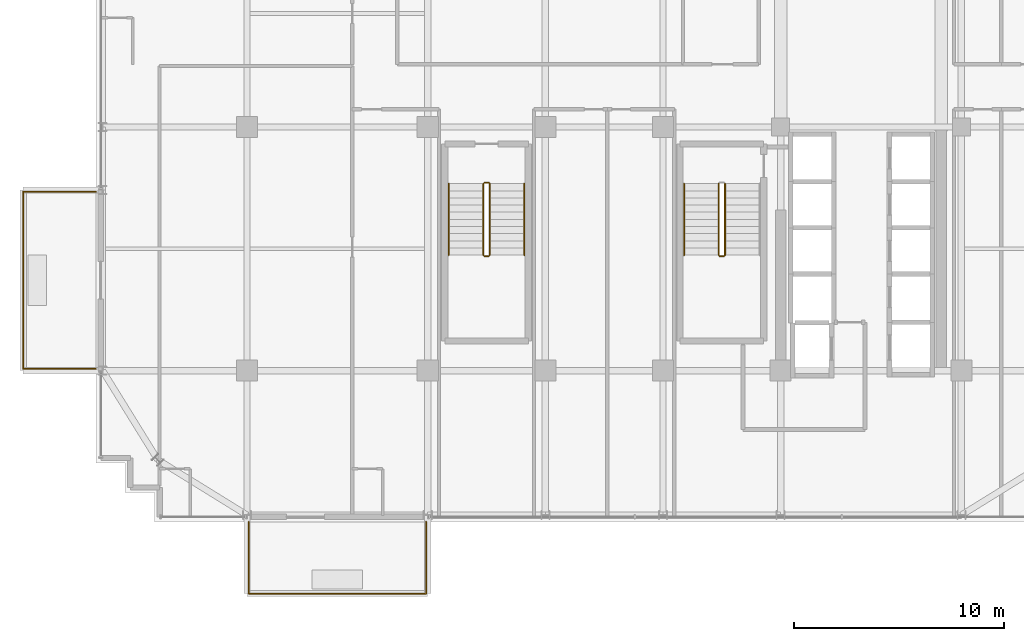
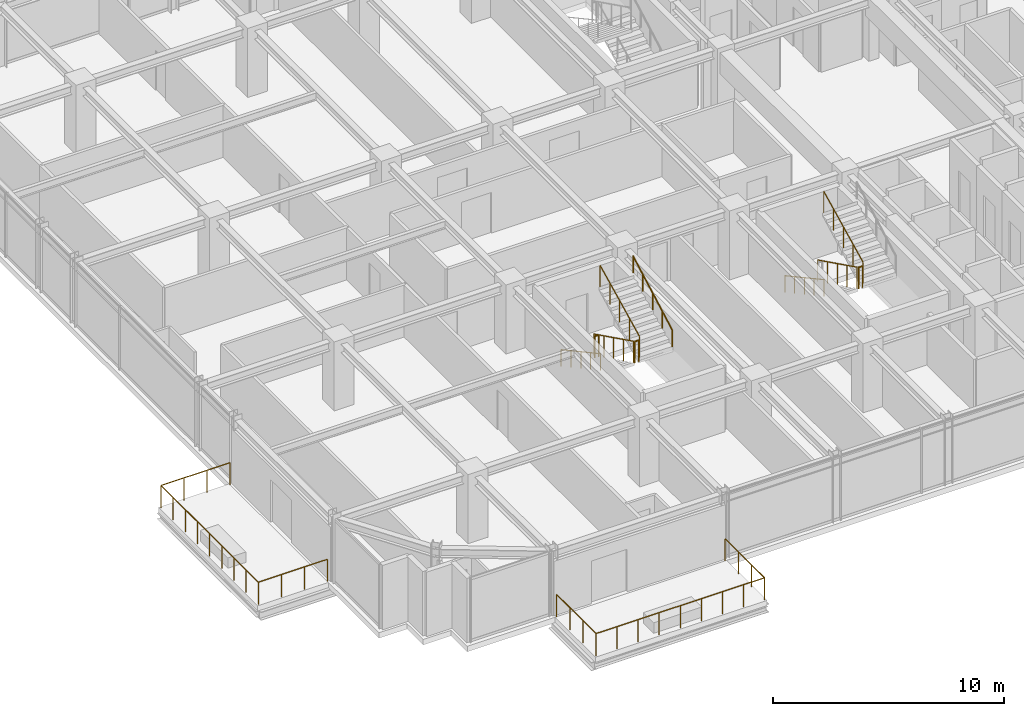
# One storey, part 33 of 35: 12 railings.
"""IFC4 building model written with IfcOpenShell, lengths in metres."""

from ifc_helpers import new_model, si_unit, direction, frame, origin, origin_2d, place, context, subcontext, project, spatial, circle, extrude, material, type_object, element, save


model = new_model("IFC4")

# Units and contexts
model_context = context("Model", 3, precision=1e-05, world=origin(), true_north=direction((0.0, 1.0)))
body_context = subcontext(model_context, "Body", "Model", "MODEL_VIEW")
ifc_project = project(units=[si_unit("LENGTHUNIT", "METRE"), si_unit("AREAUNIT", "SQUARE_METRE"), si_unit("VOLUMEUNIT", "CUBIC_METRE"), si_unit("PLANEANGLEUNIT", "RADIAN"), si_unit("MASSUNIT", "GRAM", prefix="KILO")], contexts=[model_context])

# Site, building, storey
site_placement = place(None, origin())
site = spatial("IfcSite", under=ifc_project, at=site_placement, CompositionType="ELEMENT")
building_placement = place(site_placement, origin())
building = spatial("IfcBuilding", under=site, at=building_placement, Name="Nahalor Promenade Grand Hotel", CompositionType="ELEMENT")
storey_placement = place(building_placement, frame((0.0, 0.0, 245.60009765625)))
storey = spatial("IfcBuildingStorey", under=building, at=storey_placement, Name="L63", CompositionType="ELEMENT", Elevation=245.60009765625)

# Railings
ifc_material_1 = material(Name="Anodised Bronze Aluminium EN AW-6063 T6", Category="aluminium")
railing_type_1 = type_object("IfcRailingType", Name="Bronze Balcony Guardrail 1200 mm", PredefinedType="GUARDRAIL", material=ifc_material_1)
railing_1_placement = place(storey_placement, frame((-16.919921875, -24.199951171875, 0.0)))
element("IfcRailing", 1, at=railing_1_placement, inside=storey, type_object=railing_type_1, Name="L63 Balcony Guardrail 1", PredefinedType="GUARDRAIL", context=body_context, shape_type="SweptSolid", body=[
    extrude(circle(Radius=0.024048, at=origin_2d()), frame((0.0, 0.0, 1.17578125), z_axis=(0.0, -1.0, 0.0), x_axis=(1.0, 0.0, 0.0)), (0.0, 0.0, 1.0), 3.408203125),
    extrude(circle(Radius=0.024048, at=origin_2d()), frame((0.001953125, -3.41015625, 1.17578125), z_axis=(1.0, 0.0, 0.0), x_axis=(0.0, 1.0, 0.0)), (0.0, 0.0, 1.0), 8.43603515625),
    extrude(circle(Radius=0.024048, at=origin_2d()), frame((8.43994140625, -3.408203125, 1.17578125), z_axis=(0.0, 1.0, 0.0), x_axis=(-1.0, 0.0, 0.0)), (0.0, 0.0, 1.0), 3.408203125),
    extrude(circle(Radius=0.020996, at=origin_2d()), origin(), (0.0, 0.0, 1.0), 1.14990234375),
    extrude(circle(Radius=0.020996, at=origin_2d()), frame((0.0, -1.13671875, 0.0)), (0.0, 0.0, 1.0), 1.14990234375),
    extrude(circle(Radius=0.020996, at=origin_2d()), frame((0.0, -2.2734375, 0.0)), (0.0, 0.0, 1.0), 1.14990234375),
    extrude(circle(Radius=0.020996, at=origin_2d()), frame((0.0, -3.41015625, 0.0)), (0.0, 0.0, 1.0), 1.14990234375),
    extrude(circle(Radius=0.020996, at=origin_2d()), frame((1.054931640625, -3.41015625, 0.0)), (0.0, 0.0, 1.0), 1.14990234375),
    extrude(circle(Radius=0.020996, at=origin_2d()), frame((2.10986328125, -3.41015625, 0.0)), (0.0, 0.0, 1.0), 1.14990234375),
    extrude(circle(Radius=0.020996, at=origin_2d()), frame((3.1650390625, -3.41015625, 0.0)), (0.0, 0.0, 1.0), 1.14990234375),
    extrude(circle(Radius=0.020996, at=origin_2d()), frame((4.219970703125, -3.41015625, 0.0)), (0.0, 0.0, 1.0), 1.14990234375),
    extrude(circle(Radius=0.020996, at=origin_2d()), frame((5.27490234375, -3.41015625, 0.0)), (0.0, 0.0, 1.0), 1.14990234375),
    extrude(circle(Radius=0.020996, at=origin_2d()), frame((6.330078125, -3.41015625, 0.0)), (0.0, 0.0, 1.0), 1.14990234375),
    extrude(circle(Radius=0.020996, at=origin_2d()), frame((7.385009765625, -3.41015625, 0.0)), (0.0, 0.0, 1.0), 1.14990234375),
    extrude(circle(Radius=0.020996, at=origin_2d()), frame((8.43994140625, -3.41015625, 0.0)), (0.0, 0.0, 1.0), 1.14990234375),
    extrude(circle(Radius=0.020996, at=origin_2d()), frame((8.43994140625, -2.2734375, 0.0)), (0.0, 0.0, 1.0), 1.14990234375),
    extrude(circle(Radius=0.020996, at=origin_2d()), frame((8.43994140625, -1.13671875, 0.0)), (0.0, 0.0, 1.0), 1.14990234375),
    extrude(circle(Radius=0.020996, at=origin_2d()), frame((8.43994140625, 0.0, 0.0)), (0.0, 0.0, 1.0), 1.14990234375),
])
railing_2_placement = place(storey_placement, frame((-24.199951171875, -16.919921875, 0.0)))
element("IfcRailing", 2, at=railing_2_placement, inside=storey, type_object=railing_type_1, Name="L63 Balcony Guardrail 2", PredefinedType="GUARDRAIL", context=body_context, shape_type="SweptSolid", body=[
    extrude(circle(Radius=0.024048, at=origin_2d()), frame((0.0, 0.0, 1.17578125), z_axis=(-1.0, 0.0, 0.0), x_axis=(0.0, -1.0, 0.0)), (0.0, 0.0, 1.0), 3.4580078125),
    extrude(circle(Radius=0.024048, at=origin_2d()), frame((-3.4599609375, 0.001953125, 1.17578125), z_axis=(0.0, 1.0, 0.0), x_axis=(-1.0, 0.0, 0.0)), (0.0, 0.0, 1.0), 8.43603515625),
    extrude(circle(Radius=0.024048, at=origin_2d()), frame((-3.4580078125, 8.43994140625, 1.17578125), z_axis=(1.0, 0.0, 0.0), x_axis=(0.0, 1.0, 0.0)), (0.0, 0.0, 1.0), 3.4580078125),
    extrude(circle(Radius=0.020996, at=origin_2d()), origin(), (0.0, 0.0, 1.0), 1.14990234375),
    extrude(circle(Radius=0.020996, at=origin_2d()), frame((-1.1533203125, 0.0, 0.0)), (0.0, 0.0, 1.0), 1.14990234375),
    extrude(circle(Radius=0.020996, at=origin_2d()), frame((-2.306640625, 0.0, 0.0)), (0.0, 0.0, 1.0), 1.14990234375),
    extrude(circle(Radius=0.020996, at=origin_2d()), frame((-3.4599609375, 0.0, 0.0)), (0.0, 0.0, 1.0), 1.14990234375),
    extrude(circle(Radius=0.020996, at=origin_2d()), frame((-3.4599609375, 1.054931640625, 0.0)), (0.0, 0.0, 1.0), 1.14990234375),
    extrude(circle(Radius=0.020996, at=origin_2d()), frame((-3.4599609375, 2.10986328125, 0.0)), (0.0, 0.0, 1.0), 1.14990234375),
    extrude(circle(Radius=0.020996, at=origin_2d()), frame((-3.4599609375, 3.1650390625, 0.0)), (0.0, 0.0, 1.0), 1.14990234375),
    extrude(circle(Radius=0.020996, at=origin_2d()), frame((-3.4599609375, 4.219970703125, 0.0)), (0.0, 0.0, 1.0), 1.14990234375),
    extrude(circle(Radius=0.020996, at=origin_2d()), frame((-3.4599609375, 5.27490234375, 0.0)), (0.0, 0.0, 1.0), 1.14990234375),
    extrude(circle(Radius=0.020996, at=origin_2d()), frame((-3.4599609375, 6.330078125, 0.0)), (0.0, 0.0, 1.0), 1.14990234375),
    extrude(circle(Radius=0.020996, at=origin_2d()), frame((-3.4599609375, 7.385009765625, 0.0)), (0.0, 0.0, 1.0), 1.14990234375),
    extrude(circle(Radius=0.020996, at=origin_2d()), frame((-3.4599609375, 8.43994140625, 0.0)), (0.0, 0.0, 1.0), 1.14990234375),
    extrude(circle(Radius=0.020996, at=origin_2d()), frame((-2.306640625, 8.43994140625, 0.0)), (0.0, 0.0, 1.0), 1.14990234375),
    extrude(circle(Radius=0.020996, at=origin_2d()), frame((-1.1533203125, 8.43994140625, 0.0)), (0.0, 0.0, 1.0), 1.14990234375),
    extrude(circle(Radius=0.020996, at=origin_2d()), frame((0.0, 8.43994140625, 0.0)), (0.0, 0.0, 1.0), 1.14990234375),
])
ifc_material_2 = material(Name="Steel S355JR", Category="steel")
railing_type_2 = type_object("IfcRailingType", Name="Steel Stair Guardrail 1150 mm", PredefinedType="GUARDRAIL", material=ifc_material_2)
railing_3_placement = place(storey_placement, frame((5.449951171875, -8.10009765625, 0.16796875)))
element("IfcRailing", 3, at=railing_3_placement, inside=storey, type_object=railing_type_2, Name="L63 ST2 stair guard 1", PredefinedType="GUARDRAIL", context=body_context, shape_type="SweptSolid", body=[
    extrude(circle(Radius=0.024048, at=origin_2d()), frame((0.0, 0.0, 1.1259765625), z_axis=(0.0, -0.896324230515, 0.443399226197), x_axis=(1.0, 0.0, 0.0)), (0.0, 0.0, 1.0), 3.793212890625),
    extrude(circle(Radius=0.020996, at=origin_2d()), origin(), (0.0, 0.0, 1.0), 1.099853515625),
    extrude(circle(Radius=0.020996, at=origin_2d()), frame((0.0, -0.85009765625, 0.42041015625)), (0.0, 0.0, 1.0), 1.099853515625),
    extrude(circle(Radius=0.020996, at=origin_2d()), frame((0.0, -1.699951171875, 0.8408203125)), (0.0, 0.0, 1.0), 1.099853515625),
    extrude(circle(Radius=0.020996, at=origin_2d()), frame((0.0, -2.5498046875, 1.261474609375)), (0.0, 0.0, 1.0), 1.099853515625),
    extrude(circle(Radius=0.020996, at=origin_2d()), frame((0.0, -3.39990234375, 1.681884765625)), (0.0, 0.0, 1.0), 1.099853515625),
])
railing_4_placement = place(storey_placement, frame((5.5, -11.550048828125, 1.849853515625)))
element("IfcRailing", 4, at=railing_4_placement, inside=storey, type_object=railing_type_2, Name="L63 ST2 stair guard 2", PredefinedType="GUARDRAIL", context=body_context, shape_type="SweptSolid", body=[
    extrude(circle(Radius=0.024048, at=origin_2d()), frame((0.0, 0.0, 1.1259765625), z_axis=(1.0, 0.0, 0.0), x_axis=(0.0, 1.0, 0.0)), (0.0, 0.0, 1.0), 0.199951171875),
    extrude(circle(Radius=0.020996, at=origin_2d()), origin(), (0.0, 0.0, 1.0), 1.099853515625),
    extrude(circle(Radius=0.020996, at=origin_2d()), frame((0.199951171875, 0.0, 0.0)), (0.0, 0.0, 1.0), 1.099853515625),
])
railing_5_placement = place(storey_placement, frame((5.75, -11.5, 2.01806640625)))
element("IfcRailing", 5, at=railing_5_placement, inside=storey, type_object=railing_type_2, Name="L63 ST2 stair guard 3", PredefinedType="GUARDRAIL", context=body_context, shape_type="SweptSolid", body=[
    extrude(circle(Radius=0.024048, at=origin_2d()), frame((0.0, 0.0, 1.1259765625), z_axis=(0.0, 0.896324230515, 0.443399226197), x_axis=(-1.0, 0.0, 0.0)), (0.0, 0.0, 1.0), 3.793212890625),
    extrude(circle(Radius=0.020996, at=origin_2d()), origin(), (0.0, 0.0, 1.0), 1.099853515625),
    extrude(circle(Radius=0.020996, at=origin_2d()), frame((0.0, 0.85009765625, 0.42041015625)), (0.0, 0.0, 1.0), 1.099853515625),
    extrude(circle(Radius=0.020996, at=origin_2d()), frame((0.0, 1.699951171875, 0.8408203125)), (0.0, 0.0, 1.0), 1.099853515625),
    extrude(circle(Radius=0.020996, at=origin_2d()), frame((0.0, 2.5498046875, 1.261474609375)), (0.0, 0.0, 1.0), 1.099853515625),
    extrude(circle(Radius=0.020996, at=origin_2d()), frame((0.0, 3.39990234375, 1.681884765625)), (0.0, 0.0, 1.0), 1.099853515625),
])
railing_6_placement = place(storey_placement, frame((-5.75, -8.10009765625, 0.16796875)))
element("IfcRailing", 6, at=railing_6_placement, inside=storey, type_object=railing_type_2, Name="L63 ST3 stair guard 1", PredefinedType="GUARDRAIL", context=body_context, shape_type="SweptSolid", body=[
    extrude(circle(Radius=0.024048, at=origin_2d()), frame((0.0, 0.0, 1.1259765625), z_axis=(0.0, -0.896324230515, 0.443399226197), x_axis=(1.0, 0.0, 0.0)), (0.0, 0.0, 1.0), 3.793212890625),
    extrude(circle(Radius=0.020996, at=origin_2d()), origin(), (0.0, 0.0, 1.0), 1.099853515625),
    extrude(circle(Radius=0.020996, at=origin_2d()), frame((0.0, -0.85009765625, 0.42041015625)), (0.0, 0.0, 1.0), 1.099853515625),
    extrude(circle(Radius=0.020996, at=origin_2d()), frame((0.0, -1.699951171875, 0.8408203125)), (0.0, 0.0, 1.0), 1.099853515625),
    extrude(circle(Radius=0.020996, at=origin_2d()), frame((0.0, -2.5498046875, 1.261474609375)), (0.0, 0.0, 1.0), 1.099853515625),
    extrude(circle(Radius=0.020996, at=origin_2d()), frame((0.0, -3.39990234375, 1.681884765625)), (0.0, 0.0, 1.0), 1.099853515625),
])
railing_7_placement = place(storey_placement, frame((-5.699951171875, -11.550048828125, 1.849853515625)))
element("IfcRailing", 7, at=railing_7_placement, inside=storey, type_object=railing_type_2, Name="L63 ST3 stair guard 2", PredefinedType="GUARDRAIL", context=body_context, shape_type="SweptSolid", body=[
    extrude(circle(Radius=0.024048, at=origin_2d()), frame((0.0, 0.0, 1.1259765625), z_axis=(1.0, 0.0, 0.0), x_axis=(0.0, 1.0, 0.0)), (0.0, 0.0, 1.0), 0.199951171875),
    extrude(circle(Radius=0.020996, at=origin_2d()), origin(), (0.0, 0.0, 1.0), 1.099853515625),
    extrude(circle(Radius=0.020996, at=origin_2d()), frame((0.199951171875, 0.0, 0.0)), (0.0, 0.0, 1.0), 1.099853515625),
])
railing_8_placement = place(storey_placement, frame((-5.449951171875, -11.5, 2.01806640625)))
element("IfcRailing", 8, at=railing_8_placement, inside=storey, type_object=railing_type_2, Name="L63 ST3 stair guard 3", PredefinedType="GUARDRAIL", context=body_context, shape_type="SweptSolid", body=[
    extrude(circle(Radius=0.024048, at=origin_2d()), frame((0.0, 0.0, 1.1259765625), z_axis=(0.0, 0.896324230515, 0.443399226197), x_axis=(-1.0, 0.0, 0.0)), (0.0, 0.0, 1.0), 3.793212890625),
    extrude(circle(Radius=0.020996, at=origin_2d()), origin(), (0.0, 0.0, 1.0), 1.099853515625),
    extrude(circle(Radius=0.020996, at=origin_2d()), frame((0.0, 0.85009765625, 0.42041015625)), (0.0, 0.0, 1.0), 1.099853515625),
    extrude(circle(Radius=0.020996, at=origin_2d()), frame((0.0, 1.699951171875, 0.8408203125)), (0.0, 0.0, 1.0), 1.099853515625),
    extrude(circle(Radius=0.020996, at=origin_2d()), frame((0.0, 2.5498046875, 1.261474609375)), (0.0, 0.0, 1.0), 1.099853515625),
    extrude(circle(Radius=0.020996, at=origin_2d()), frame((0.0, 3.39990234375, 1.681884765625)), (0.0, 0.0, 1.0), 1.099853515625),
])
railing_9_placement = place(storey_placement, frame((-5.699951171875, -8.050048828125, 0.0)))
element("IfcRailing", 9, at=railing_9_placement, inside=storey, type_object=railing_type_2, Name="L63 ST3 stair guard 4", PredefinedType="GUARDRAIL", context=body_context, shape_type="SweptSolid", body=[
    extrude(circle(Radius=0.024048, at=origin_2d()), frame((0.0, 0.0, 1.1259765625), z_axis=(1.0, 0.0, 0.0), x_axis=(0.0, 1.0, 0.0)), (0.0, 0.0, 1.0), 0.199951171875),
    extrude(circle(Radius=0.020996, at=origin_2d()), origin(), (0.0, 0.0, 1.0), 1.099853515625),
    extrude(circle(Radius=0.020996, at=origin_2d()), frame((0.199951171875, 0.0, 0.0)), (0.0, 0.0, 1.0), 1.099853515625),
])
railing_type_3 = type_object("IfcRailingType", Name="Steel Stair Handrail 900 mm", PredefinedType="HANDRAIL", material=ifc_material_2)
for number, where, name in (
    (10, (3.800048828125, -8.10009765625, 0.16796875), "L63 ST2 stair handrail 1"),
    (11, (-7.39990234375, -8.10009765625, 0.16796875), "L63 ST3 stair handrail 1"),
):
    element("IfcRailing", number, at=place(storey_placement, frame(where)), inside=storey, type_object=railing_type_3, Name=name, PredefinedType="HANDRAIL", context=body_context, shape_type="SweptSolid", body=[
        extrude(circle(Radius=0.024048, at=origin_2d()), frame((0.0, 0.0, 0.8759765625), z_axis=(0.0, -0.87837241229, 0.47797688786), x_axis=(1.0, 0.0, 0.0)), (0.0, 0.0, 1.0), 3.87060546875),
        extrude(circle(Radius=0.020996, at=origin_2d()), origin(), (0.0, 0.0, 1.0), 0.849853515625),
        extrude(circle(Radius=0.020996, at=origin_2d()), frame((0.0, -0.85009765625, 0.46240234375)), (0.0, 0.0, 1.0), 0.849853515625),
        extrude(circle(Radius=0.020996, at=origin_2d()), frame((0.0, -1.699951171875, 0.925048828125)), (0.0, 0.0, 1.0), 0.849853515625),
        extrude(circle(Radius=0.020996, at=origin_2d()), frame((0.0, -2.5498046875, 1.3876953125)), (0.0, 0.0, 1.0), 0.849853515625),
        extrude(circle(Radius=0.020996, at=origin_2d()), frame((0.0, -3.39990234375, 1.85009765625)), (0.0, 0.0, 1.0), 0.849853515625),
    ])
railing_10_placement = place(storey_placement, frame((-3.800048828125, -11.5, 2.01806640625)))
element("IfcRailing", 12, at=railing_10_placement, inside=storey, type_object=railing_type_3, Name="L63 ST3 stair handrail 2", PredefinedType="HANDRAIL", context=body_context, shape_type="SweptSolid", body=[
    extrude(circle(Radius=0.024048, at=origin_2d()), frame((0.0, 0.0, 0.8759765625), z_axis=(0.0, 0.87837241229, 0.47797688786), x_axis=(-1.0, 0.0, 0.0)), (0.0, 0.0, 1.0), 3.87060546875),
    extrude(circle(Radius=0.020996, at=origin_2d()), origin(), (0.0, 0.0, 1.0), 0.849853515625),
    extrude(circle(Radius=0.020996, at=origin_2d()), frame((0.0, 0.85009765625, 0.46240234375)), (0.0, 0.0, 1.0), 0.849853515625),
    extrude(circle(Radius=0.020996, at=origin_2d()), frame((0.0, 1.699951171875, 0.925048828125)), (0.0, 0.0, 1.0), 0.849853515625),
    extrude(circle(Radius=0.020996, at=origin_2d()), frame((0.0, 2.5498046875, 1.3876953125)), (0.0, 0.0, 1.0), 0.849853515625),
    extrude(circle(Radius=0.020996, at=origin_2d()), frame((0.0, 3.39990234375, 1.85009765625)), (0.0, 0.0, 1.0), 0.849853515625),
])

save(model, "model.ifc")
